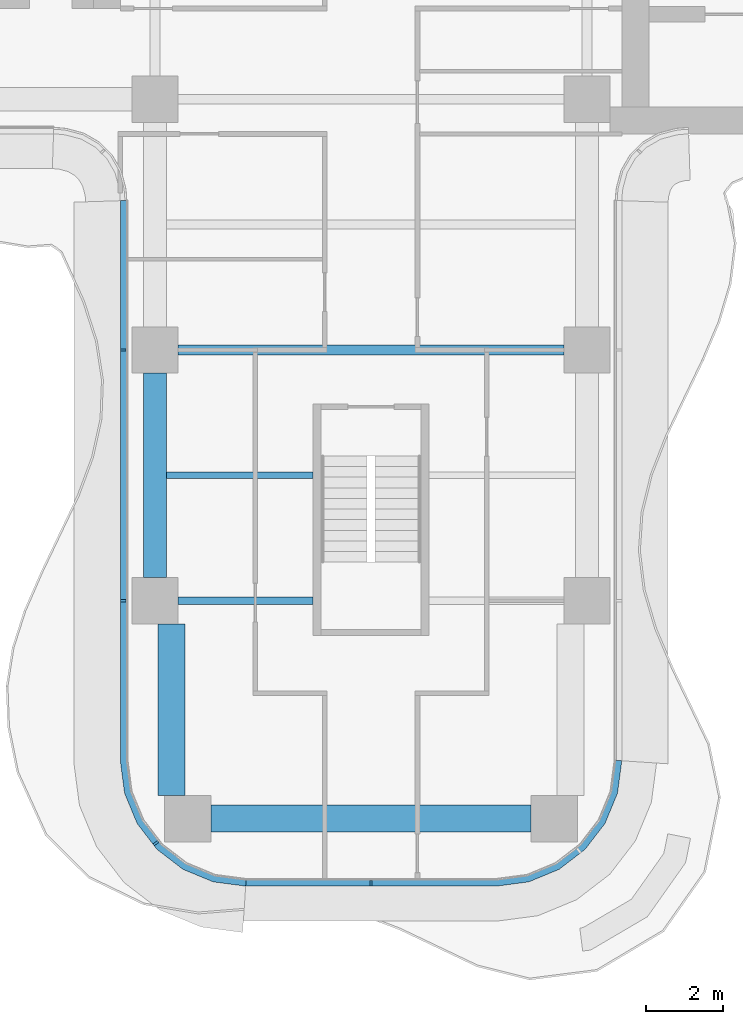
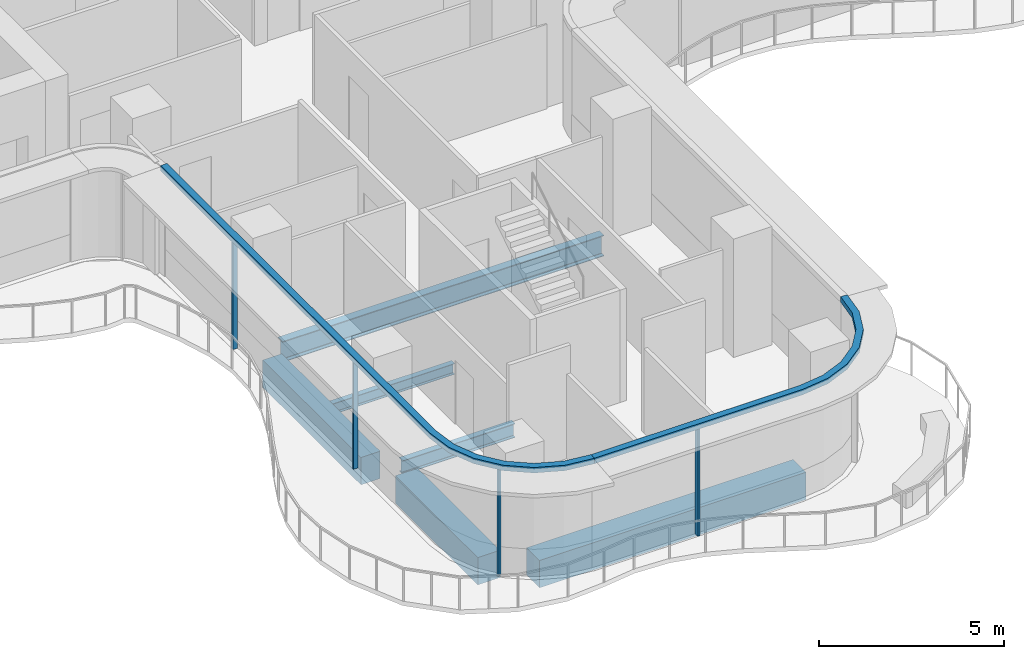
# One storey, part 2 of 17: 6 beams, 6 members, 2 elements without a shape of their own.
"""IFC4 building model written with IfcOpenShell, lengths in metres."""

from ifc_helpers import new_model, si_unit, direction, frame, origin, origin_2d, place, context, subcontext, project, spatial, polyline, rectangle, i_section, outline, extrude, source, transform, mapped, material, layer, layer_set, material_profile, profile_set, type_object, element, aggregate, save


model = new_model("IFC4")

# Units and contexts
model_context = context("Model", 3, precision=1e-05, world=origin(), true_north=direction((0.0, 1.0)))
body_context = subcontext(model_context, "Body", "Model", "MODEL_VIEW")
ifc_project = project(units=[si_unit("LENGTHUNIT", "METRE"), si_unit("AREAUNIT", "SQUARE_METRE"), si_unit("VOLUMEUNIT", "CUBIC_METRE"), si_unit("PLANEANGLEUNIT", "RADIAN"), si_unit("MASSUNIT", "GRAM", prefix="KILO")], contexts=[model_context])

# Site, building, storey
site_placement = place(None, origin())
site = spatial("IfcSite", under=ifc_project, at=site_placement, CompositionType="ELEMENT")
building_placement = place(site_placement, origin())
building = spatial("IfcBuilding", under=site, at=building_placement, Name="Trellis Farm Tower", CompositionType="ELEMENT")
storey_placement = place(building_placement, frame((0.0, 0.0, 181.5)))
storey = spatial("IfcBuildingStorey", under=building, at=storey_placement, Name="L39", CompositionType="ELEMENT", Elevation=181.5)

# Beams
ifc_material_1 = material(Name="Steel S355", Category="steel")
ifc_material_profile_1 = material_profile(ifc_material_1, i_section(OverallWidth=0.1904296875, OverallDepth=0.45703125, WebThickness=0.009033203125, FlangeThickness=0.014404296875, FilletRadius=0.01025390625, at=origin_2d()), Name="UB 457x191x74")
ifc_profile_set_1 = profile_set([ifc_material_profile_1], Name="Steel S355")
beam_type_1 = type_object("IfcBeamType", Name="UB 457x191x74", PredefinedType="BEAM", material=ifc_profile_set_1)
shared_shape_1 = source(origin(), body_context, "Body", "SweptSolid", [
    extrude(i_section(OverallWidth=0.1904296875, OverallDepth=0.45703125, WebThickness=0.009033203125, FlangeThickness=0.014404296875, FilletRadius=0.01025390625, at=origin_2d()), origin(), (0.0, 0.0, 1.0), 3.5),
])
beam_1_placement = place(storey_placement, frame((-5.0, -18.60009765625, -0.428466796875), z_axis=(1.0, 0.0, 0.0), x_axis=(0.0, 1.0, 0.0)))
element("IfcBeam", 1, at=beam_1_placement, inside=storey, type_object=beam_type_1, Name="Girder", PredefinedType="BEAM", context=body_context, shape_type="MappedRepresentation", body=[
    mapped(shared_shape_1, transform((0.0, 0.0, 0.0))),
])
ifc_material_2 = material(Name="Concrete C60/75", Category="concrete")
ifc_material_profile_2 = material_profile(ifc_material_2, rectangle(XDim=0.60009765625, YDim=0.89990234375, at=origin_2d()), Name="RC spandrel beam 600x900 C60/75")
ifc_profile_set_2 = profile_set([ifc_material_profile_2], Name="Concrete C60/75")
beam_type_2 = type_object("IfcBeamType", Name="RC spandrel beam 600x900 C60/75", PredefinedType="SPANDREL", material=ifc_profile_set_2)
shared_shape_2 = source(origin(), body_context, "Body", "SweptSolid", [
    extrude(rectangle(XDim=0.60009765625, YDim=0.89990234375, at=origin_2d()), origin(), (0.0, 0.0, 1.0), 5.300048828125),
])
beam_2_placement = place(storey_placement, frame((-5.60009765625, -18.0, -0.64990234375), z_axis=(0.0, 1.0, 0.0), x_axis=(-1.0, 0.0, 0.0)))
element("IfcBeam", 2, at=beam_2_placement, inside=storey, type_object=beam_type_2, Name="Girder", PredefinedType="SPANDREL", context=body_context, shape_type="MappedRepresentation", body=[
    mapped(shared_shape_2, transform((0.0, 0.0, 0.0))),
])
ifc_material_profile_3 = material_profile(ifc_material_1, i_section(OverallWidth=0.253662109375, OverallDepth=0.68359375, WebThickness=0.012451171875, FlangeThickness=0.021728515625, FilletRadius=0.01513671875, at=origin_2d()), Name="UB 686x254x140")
ifc_profile_set_3 = profile_set([ifc_material_profile_3], Name="Steel S355")
beam_type_3 = type_object("IfcBeamType", Name="UB 686x254x140", PredefinedType="BEAM", material=ifc_profile_set_3)
shared_shape_3 = source(origin(), body_context, "Body", "SweptSolid", [
    extrude(i_section(OverallWidth=0.253662109375, OverallDepth=0.68359375, WebThickness=0.012451171875, FlangeThickness=0.021728515625, FilletRadius=0.01513671875, at=origin_2d()), origin(), (0.0, 0.0, 1.0), 10.0),
])
beam_3_placement = place(storey_placement, frame((-5.0, -12.10009765625, -0.541748046875), z_axis=(1.0, 0.0, 0.0), x_axis=(0.0, 1.0, 0.0)))
element("IfcBeam", 3, at=beam_3_placement, inside=storey, type_object=beam_type_3, Name="Girder", PredefinedType="BEAM", context=body_context, shape_type="MappedRepresentation", body=[
    mapped(shared_shape_3, transform((0.0, 0.0, 0.0))),
])
ifc_material_profile_4 = material_profile(ifc_material_2, rectangle(XDim=0.699951171875, YDim=0.89990234375, at=origin_2d()), Name="RC spandrel beam 700x900 C60/75")
ifc_profile_set_4 = profile_set([ifc_material_profile_4], Name="Concrete C60/75")
beam_type_4 = type_object("IfcBeamType", Name="RC spandrel beam 700x900 C60/75", PredefinedType="SPANDREL", material=ifc_profile_set_4)
shared_shape_4 = source(origin(), body_context, "Body", "SweptSolid", [
    extrude(rectangle(XDim=0.699951171875, YDim=0.89990234375, at=origin_2d()), origin(), (0.0, 0.0, 1.0), 8.2998046875),
])
beam_4_placement = place(storey_placement, frame((-4.14990234375, -24.25, -0.64990234375), z_axis=(1.0, 0.0, 0.0), x_axis=(0.0, 1.0, 0.0)))
element("IfcBeam", 4, at=beam_4_placement, inside=storey, type_object=beam_type_4, Name="Girder", PredefinedType="SPANDREL", context=body_context, shape_type="MappedRepresentation", body=[
    mapped(shared_shape_4, transform((0.0, 0.0, 0.0))),
])
shared_shape_5 = source(origin(), body_context, "Body", "SweptSolid", [
    extrude(rectangle(XDim=0.699951171875, YDim=0.89990234375, at=origin_2d()), origin(), (0.0, 0.0, 1.0), 4.449951171875),
])
beam_5_placement = place(storey_placement, frame((-5.175048828125, -23.64990234375, -0.64990234375), z_axis=(0.0, 1.0, 0.0), x_axis=(-1.0, 0.0, 0.0)))
element("IfcBeam", 5, at=beam_5_placement, inside=storey, type_object=beam_type_4, Name="Girder", PredefinedType="SPANDREL", context=body_context, shape_type="MappedRepresentation", body=[
    mapped(shared_shape_5, transform((0.0, 0.0, 0.0))),
])
ifc_material_profile_5 = material_profile(ifc_material_1, i_section(OverallWidth=0.17138671875, OverallDepth=0.35498046875, WebThickness=0.00732421875, FlangeThickness=0.011474609375, FilletRadius=0.01025390625, at=origin_2d()), Name="UB 356x171x51")
ifc_profile_set_5 = profile_set([ifc_material_profile_5], Name="Steel S355")
beam_type_5 = type_object("IfcBeamType", Name="UB 356x171x51 joist", PredefinedType="JOIST", material=ifc_profile_set_5)
shared_shape_6 = source(origin(), body_context, "Body", "SweptSolid", [
    extrude(i_section(OverallWidth=0.17138671875, OverallDepth=0.35498046875, WebThickness=0.00732421875, FlangeThickness=0.011474609375, FilletRadius=0.01025390625, at=origin_2d()), origin(), (0.0, 0.0, 1.0), 3.800048828125),
])
beam_6_placement = place(storey_placement, frame((-5.300048828125, -15.35009765625, -0.37744140625), z_axis=(1.0, 0.0, 0.0), x_axis=(0.0, 1.0, 0.0)))
element("IfcBeam", 6, at=beam_6_placement, inside=storey, type_object=beam_type_5, Name="Floor beam", PredefinedType="JOIST", context=body_context, shape_type="MappedRepresentation", body=[
    mapped(shared_shape_6, transform((0.0, 0.0, 0.0))),
])

# Curtain wall, member
ifc_material_3 = material(Name="Aluminium and glass curtain wall", Category="aluminium")
ifc_layer_1 = layer(ifc_material_3, 0.18994140625)
ifc_layer_set_1 = layer_set([ifc_layer_1], Name="RIBBON CURTAIN WALL CW1")
curtain_wall_type = type_object("IfcCurtainWallType", Name="RIBBON CURTAIN WALL CW1", PredefinedType="NOTDEFINED", material=ifc_layer_set_1)
placement_1 = place(storey_placement, origin())
curtain_wall_1 = element("IfcCurtainWall", 7, at=placement_1, inside=storey, type_object=curtain_wall_type, Name="CW1 002", PredefinedType="NOTDEFINED")
ifc_material_4 = material(Name="Aluminium extrusion 6063-T6", Category="aluminium")
ifc_layer_2 = layer(ifc_material_4, 0.199951171875)
ifc_layer_set_2 = layer_set([ifc_layer_2], Name="Aluminium extrusion 6063-T6")
member_type_1 = type_object("IfcMemberType", Name="CW1 TRANSOM 200x180", PredefinedType="USERDEFINED", material=ifc_layer_set_2)
shared_shape_7 = source(origin(), body_context, "Body", "SweptSolid", [
    extrude(outline(polyline([(-6.5, -8.2314453125), (-6.5, -22.75), (-6.38916015625, -23.591064453125), (-6.064697265625, -24.375), (-5.548095703125, -25.048095703125), (-4.875, -25.564697265625), (-4.091064453125, -25.88916015625), (-3.25, -26.0), (-3.23681640625, -25.800048828125), (-4.0390625, -25.6943359375), (-4.774169921875, -25.389892578125), (-5.405517578125, -24.905517578125), (-5.889892578125, -24.274169921875), (-6.1943359375, -23.5390625), (-6.300048828125, -22.73681640625), (-6.300048828125, -8.224853515625), (-6.5, -8.2314453125)])), origin(), (0.0, 0.0, 1.0), 0.179931640625),
])
placement_2 = place(storey_placement, frame((0.0, 0.0, 3.52001953125)))
member_1 = element("IfcMember", 8, at=placement_2, type_object=member_type_1, Name="TR1 002", ObjectType="TRANSOM", PredefinedType="USERDEFINED", context=body_context, shape_type="MappedRepresentation", body=[
    mapped(shared_shape_7, transform((0.0, 0.0, 0.0))),
])

curtain_wall_2 = element("IfcCurtainWall", 9, at=placement_1, inside=storey, type_object=curtain_wall_type, Name="CW1 003", PredefinedType="NOTDEFINED")
shared_shape_8 = source(origin(), body_context, "Body", "SweptSolid", [
    extrude(outline(polyline([(-3.25, -26.0), (3.25, -26.0), (4.091064453125, -25.88916015625), (4.875, -25.564697265625), (5.548095703125, -25.048095703125), (6.064697265625, -24.375), (6.38916015625, -23.591064453125), (6.5, -22.75), (6.300048828125, -22.73681640625), (6.1943359375, -23.5390625), (5.889892578125, -24.274169921875), (5.405517578125, -24.905517578125), (4.774169921875, -25.389892578125), (4.0390625, -25.6943359375), (3.23681640625, -25.800048828125), (-3.23681640625, -25.800048828125), (-3.25, -26.0)])), origin(), (0.0, 0.0, 1.0), 0.179931640625),
])
member_2 = element("IfcMember", 10, at=placement_2, type_object=member_type_1, Name="TR1 003", ObjectType="TRANSOM", PredefinedType="USERDEFINED", context=body_context, shape_type="MappedRepresentation", body=[
    mapped(shared_shape_8, transform((0.0, 0.0, 0.0))),
])

# Member
ifc_material_profile_6 = material_profile(ifc_material_4, rectangle(XDim=0.06005859375, YDim=0.14990234375, at=origin_2d()), Name="MULLION 60x150")
ifc_profile_set_6 = profile_set([ifc_material_profile_6], Name="Aluminium extrusion 6063-T6")
member_type_2 = type_object("IfcMemberType", Name="CW1 MULLION 60x150", PredefinedType="MULLION", material=ifc_profile_set_6)
shared_shape_9 = source(origin(), body_context, "Body", "SweptSolid", [
    extrude(rectangle(XDim=0.06005859375, YDim=0.14990234375, at=origin_2d()), origin(), (0.0, 0.0, 1.0), 3.52001953125),
])
member_3_placement = place(storey_placement, frame((-6.425048828125, -12.10009765625, 0.0), z_axis=(0.0, 0.0, 1.0), x_axis=(0.0, -1.0, 0.0)))
member_3 = element("IfcMember", 11, at=member_3_placement, type_object=member_type_2, Name="MU1 002-01", PredefinedType="MULLION", context=body_context, shape_type="MappedRepresentation", body=[
    mapped(shared_shape_9, transform((0.0, 0.0, 0.0))),
])

member_4_placement = place(storey_placement, frame((-6.425048828125, -18.60009765625, 0.0), z_axis=(0.0, 0.0, 1.0), x_axis=(0.0, -1.0, 0.0)))
member_4 = element("IfcMember", 12, at=member_4_placement, type_object=member_type_2, Name="MU1 002-02", PredefinedType="MULLION", context=body_context, shape_type="MappedRepresentation", body=[
    mapped(shared_shape_9, transform((0.0, 0.0, 0.0))),
])

member_5_placement = place(storey_placement, frame((-5.578369140625, -24.885498046875, 0.0), z_axis=(0.0, 0.0, 1.0), x_axis=(0.608761429009, -0.793353340291, 0.0)))
member_5 = element("IfcMember", 13, at=member_5_placement, type_object=member_type_2, Name="MU1 002-03", PredefinedType="MULLION", context=body_context, shape_type="MappedRepresentation", body=[
    mapped(shared_shape_9, transform((0.0, 0.0, 0.0))),
])

aggregate(curtain_wall_1, [member_3, member_4, member_5, member_1])

member_6_placement = place(storey_placement, frame((0.0, -25.925048828125, 0.0), z_axis=(0.0, 0.0, 1.0), x_axis=(1.0, 0.0, 0.0)))
member_6 = element("IfcMember", 14, at=member_6_placement, type_object=member_type_2, Name="MU1 003-01", PredefinedType="MULLION", context=body_context, shape_type="MappedRepresentation", body=[
    mapped(shared_shape_9, transform((0.0, 0.0, 0.0))),
])

aggregate(curtain_wall_2, [member_6, member_2])

save(model, "model.ifc")
